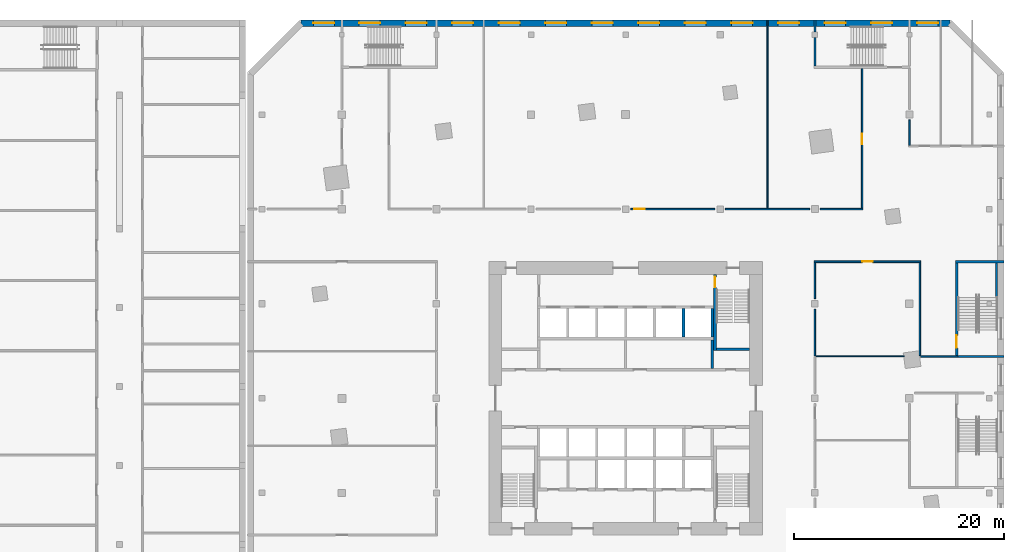
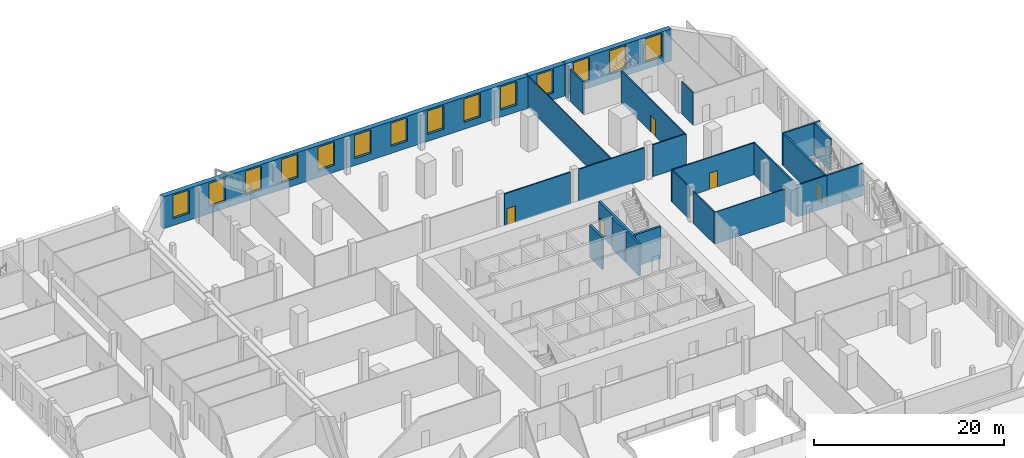
# One storey, part 12 of 20: 24 walls, 14 windows, 5 doors, 19 openings.
"""IFC4 building model written with IfcOpenShell, lengths in metres."""

from ifc_helpers import new_model, si_unit, direction, frame, frame_2d, origin, place, context, subcontext, project, spatial, rectangle, extrude, material, layer, layer_set, type_object, element, fill, save


model = new_model("IFC4")

# Units and contexts
model_context = context("Model", 3, precision=1e-05, world=origin(), true_north=direction((0.0, 1.0)))
body_context = subcontext(model_context, "Body", "Model", "MODEL_VIEW")
ifc_project = project(units=[si_unit("LENGTHUNIT", "METRE"), si_unit("AREAUNIT", "SQUARE_METRE"), si_unit("VOLUMEUNIT", "CUBIC_METRE"), si_unit("PLANEANGLEUNIT", "RADIAN"), si_unit("MASSUNIT", "GRAM", prefix="KILO")], contexts=[model_context])

# Site, building, storey
site_placement = place(None, origin())
site = spatial("IfcSite", under=ifc_project, at=site_placement, CompositionType="ELEMENT")
building_placement = place(site_placement, origin())
building = spatial("IfcBuilding", under=site, at=building_placement, Name="Dilmun Exchange Tower", CompositionType="ELEMENT")
storey_placement = place(building_placement, frame((0.0, 0.0, 9.0)))
storey = spatial("IfcBuildingStorey", under=building, at=storey_placement, Name="L02", CompositionType="ELEMENT", Elevation=9.0)

# Walls
ifc_material_1 = material(Name="Concrete C40/50", Category="concrete")
ifc_layer_1 = layer(ifc_material_1, 0.25)
ifc_layer_set_1 = layer_set([ifc_layer_1], Name="Concrete C40/50")
wall_type_1 = type_object("IfcWallType", Name="Core partition wall 250", PredefinedType="PARTITIONING", material=ifc_layer_set_1)
wall_1_placement = place(storey_placement, frame((8.25, 2.85498046875, 0.0), z_axis=(0.0, 0.0, 1.0), x_axis=(0.0, 1.0, 0.0)))
element("IfcWall", 1, at=wall_1_placement, inside=storey, type_object=wall_type_1, Name="L02 core partition wall 11", PredefinedType="PARTITIONING", context=body_context, shape_type="SweptSolid", body=[
    extrude(rectangle(XDim=2.68994140625, YDim=0.25, at=frame_2d((1.344970703125, 0.0))), origin(), (0.0, 0.0, 1.0), 4.10009765625),
])
ifc_material_2 = material(Name="Fire partition EI 60 150 gypsum")
ifc_layer_2 = layer(ifc_material_2, 0.14990234375)
ifc_layer_set_2 = layer_set([ifc_layer_2], Name="Fire partition EI 60 150 gypsum")
wall_type_2 = type_object("IfcWallType", Name="Fire partition EI 60 150 gypsum", PredefinedType="PARTITIONING", material=ifc_layer_set_2)
wall_2_placement = place(storey_placement, frame((28.074951171875, 4.0, 0.0), z_axis=(0.0, 0.0, 1.0), x_axis=(1.0, 0.0, 0.0)))
element("IfcWall", 2, at=wall_2_placement, inside=storey, type_object=wall_type_2, Name="L02 partition", PredefinedType="PARTITIONING", context=body_context, shape_type="SweptSolid", body=[
    extrude(rectangle(XDim=3.525146484375, YDim=0.14990234375, at=frame_2d((1.7626953125, 0.0))), origin(), (0.0, 0.0, 1.0), 4.10009765625),
])

# Wall, opening, door
wall_3_placement = place(storey_placement, frame((17.925048828125, 13.0, 0.0), z_axis=(0.0, 0.0, 1.0), x_axis=(1.0, 0.0, 0.0)))
wall_3 = element("IfcWall", 3, at=wall_3_placement, inside=storey, type_object=wall_type_2, Name="L02 partition", PredefinedType="PARTITIONING", context=body_context, shape_type="SweptSolid", body=[
    extrude(rectangle(XDim=10.14990234375, YDim=0.14990234375, at=frame_2d((5.074951171875, 0.0))), origin(), (0.0, 0.0, 1.0), 4.10009765625),
])
opening_1_placement = place(wall_3_placement, frame((4.574951171875, 0.0, 0.0)))
opening_1 = element("IfcOpeningElement", 4, at=opening_1_placement, cuts=wall_3, Name="Opening L02-D022", PredefinedType="OPENING", context=body_context, shape_type="SweptSolid", body=[
    extrude(rectangle(XDim=1.0, YDim=2.10009765625, at=frame_2d((0.5, 1.050048828125))), frame((0.0, 0.0849609375, 0.0), z_axis=(0.0, -1.0, 0.0), x_axis=(1.0, 0.0, 0.0)), (0.0, 0.0, 1.0), 0.169921875),
])
ifc_material_3 = material(Name="Fire door FD60 1000 x 2100")
door_type_1 = type_object("IfcDoorType", Name="Fire door FD60 1000 x 2100", OperationType="SINGLE_SWING_LEFT", PredefinedType="DOOR", material=ifc_material_3)
door_1_placement = place(opening_1_placement, origin())
door_1 = element("IfcDoor", 5, at=door_1_placement, inside=storey, type_object=door_type_1, Name="L02 door L02-D022", OperationType="SINGLE_SWING_RIGHT", OverallHeight=2.10009765625, OverallWidth=1.0, PredefinedType="DOOR", context=body_context, shape_type="SweptSolid", body=[
    extrude(rectangle(XDim=1.0, YDim=2.10009765625, at=frame_2d((0.5, 1.050048828125))), frame((0.0, 0.02490234375, 0.0), z_axis=(0.0, -1.0, 0.0), x_axis=(1.0, 0.0, 0.0)), (0.0, 0.0, 1.0), 0.050048828125),
])
fill(opening_1, door_1)

wall_4_placement = place(storey_placement, frame((0.5, 18.0, 0.0), z_axis=(0.0, 0.0, 1.0), x_axis=(1.0, 0.0, 0.0)))
wall_4 = element("IfcWall", 6, at=wall_4_placement, inside=storey, type_object=wall_type_2, Name="L02 partition", PredefinedType="PARTITIONING", context=body_context, shape_type="SweptSolid", body=[
    extrude(rectangle(XDim=8.0, YDim=0.14990234375, at=frame_2d((4.0, 0.0))), origin(), (0.0, 0.0, 1.0), 4.10009765625),
])
opening_2_placement = place(wall_4_placement, frame((0.300048828125, 0.0, 0.0)))
opening_2 = element("IfcOpeningElement", 7, at=opening_2_placement, cuts=wall_4, Name="Opening L02-D011", PredefinedType="OPENING", context=body_context, shape_type="SweptSolid", body=[
    extrude(rectangle(XDim=1.0, YDim=2.10009765625, at=frame_2d((0.5, 1.050048828125))), frame((0.0, 0.0849609375, 0.0), z_axis=(0.0, -1.0, 0.0), x_axis=(1.0, 0.0, 0.0)), (0.0, 0.0, 1.0), 0.169921875),
])
door_2_placement = place(opening_2_placement, origin())
door_2 = element("IfcDoor", 8, at=door_2_placement, inside=storey, type_object=door_type_1, Name="L02 door L02-D011", OperationType="SINGLE_SWING_LEFT", OverallHeight=2.10009765625, OverallWidth=1.0, PredefinedType="DOOR", context=body_context, shape_type="SweptSolid", body=[
    extrude(rectangle(XDim=1.0, YDim=2.10009765625, at=frame_2d((0.5, 1.050048828125))), frame((0.0, 0.02490234375, 0.0), z_axis=(0.0, -1.0, 0.0), x_axis=(1.0, 0.0, 0.0)), (0.0, 0.0, 1.0), 0.050048828125),
])
fill(opening_2, door_2)

# Walls
wall_5_placement = place(storey_placement, frame((9.5, 18.0, 0.0), z_axis=(0.0, 0.0, 1.0), x_axis=(1.0, 0.0, 0.0)))
element("IfcWall", 9, at=wall_5_placement, inside=storey, type_object=wall_type_2, Name="L02 partition", PredefinedType="PARTITIONING", context=body_context, shape_type="SweptSolid", body=[
    extrude(rectangle(XDim=8.0, YDim=0.14990234375, at=frame_2d((4.0, 0.0))), origin(), (0.0, 0.0, 1.0), 4.10009765625),
])
wall_6_placement = place(storey_placement, frame((18.5, 18.0, 0.0), z_axis=(0.0, 0.0, 1.0), x_axis=(1.0, 0.0, 0.0)))
element("IfcWall", 10, at=wall_6_placement, inside=storey, type_object=wall_type_2, Name="L02 partition", PredefinedType="PARTITIONING", context=body_context, shape_type="SweptSolid", body=[
    extrude(rectangle(XDim=4.074951171875, YDim=0.14990234375, at=frame_2d((2.03759765625, 0.0))), origin(), (0.0, 0.0, 1.0), 4.10009765625),
])
wall_7_placement = place(storey_placement, frame((18.0, 4.050048828125, 0.0), z_axis=(0.0, 0.0, 1.0), x_axis=(0.0, 1.0, 0.0)))
element("IfcWall", 11, at=wall_7_placement, inside=storey, type_object=wall_type_2, Name="L02 partition", PredefinedType="PARTITIONING", context=body_context, shape_type="SweptSolid", body=[
    extrude(rectangle(XDim=4.449951171875, YDim=0.14990234375, at=frame_2d((2.22509765625, 0.0))), origin(), (0.0, 0.0, 1.0), 4.10009765625),
])
wall_8_placement = place(storey_placement, frame((18.0, 9.5, 0.0), z_axis=(0.0, 0.0, 1.0), x_axis=(0.0, 1.0, 0.0)))
element("IfcWall", 12, at=wall_8_placement, inside=storey, type_object=wall_type_2, Name="L02 partition", PredefinedType="PARTITIONING", context=body_context, shape_type="SweptSolid", body=[
    extrude(rectangle(XDim=3.425048828125, YDim=0.14990234375, at=frame_2d((1.71240234375, 0.0))), origin(), (0.0, 0.0, 1.0), 4.10009765625),
])

# Wall, opening, door
wall_9_placement = place(storey_placement, frame((22.5, 18.074951171875, 0.0), z_axis=(0.0, 0.0, 1.0), x_axis=(0.0, 1.0, 0.0)))
wall_9 = element("IfcWall", 13, at=wall_9_placement, inside=storey, type_object=wall_type_2, Name="L02 partition", PredefinedType="PARTITIONING", context=body_context, shape_type="SweptSolid", body=[
    extrude(rectangle(XDim=13.324951171875, YDim=0.14990234375, at=frame_2d((6.66259765625, 0.0))), origin(), (0.0, 0.0, 1.0), 4.10009765625),
])
opening_3_placement = place(wall_9_placement, frame((6.125, 0.0, 0.0)))
opening_3 = element("IfcOpeningElement", 14, at=opening_3_placement, cuts=wall_9, Name="Opening L02-D010", PredefinedType="OPENING", context=body_context, shape_type="SweptSolid", body=[
    extrude(rectangle(XDim=1.0, YDim=2.10009765625, at=frame_2d((0.5, 1.050048828125))), frame((0.0, 0.0849609375, 0.0), z_axis=(0.0, -1.0, 0.0), x_axis=(1.0, 0.0, 0.0)), (0.0, 0.0, 1.0), 0.169921875),
])
door_3_placement = place(opening_3_placement, origin())
door_3 = element("IfcDoor", 15, at=door_3_placement, inside=storey, type_object=door_type_1, Name="L02 door L02-D010", OperationType="SINGLE_SWING_RIGHT", OverallHeight=2.10009765625, OverallWidth=1.0, PredefinedType="DOOR", context=body_context, shape_type="SweptSolid", body=[
    extrude(rectangle(XDim=1.0, YDim=2.10009765625, at=frame_2d((0.5, 1.050048828125))), frame((0.0, 0.02490234375, 0.0), z_axis=(0.0, -1.0, 0.0), x_axis=(1.0, 0.0, 0.0)), (0.0, 0.0, 1.0), 0.050048828125),
])
fill(opening_3, door_3)

# Walls
wall_10_placement = place(storey_placement, frame((27.0, 24.074951171875, 0.0), z_axis=(0.0, 0.0, 1.0), x_axis=(0.0, 1.0, 0.0)))
element("IfcWall", 16, at=wall_10_placement, inside=storey, type_object=wall_type_2, Name="L02 partition", PredefinedType="PARTITIONING", context=body_context, shape_type="SweptSolid", body=[
    extrude(rectangle(XDim=2.425048828125, YDim=0.14990234375, at=frame_2d((1.21240234375, 0.0))), origin(), (0.0, 0.0, 1.0), 4.10009765625),
])
wall_11_placement = place(storey_placement, frame((28.0, 4.074951171875, 0.0), z_axis=(0.0, 0.0, 1.0), x_axis=(0.0, 1.0, 0.0)))
element("IfcWall", 17, at=wall_11_placement, inside=storey, type_object=wall_type_2, Name="L02 partition", PredefinedType="PARTITIONING", context=body_context, shape_type="SweptSolid", body=[
    extrude(rectangle(XDim=8.85009765625, YDim=0.14990234375, at=frame_2d((4.425048828125, 0.0))), origin(), (0.0, 0.0, 1.0), 4.10009765625),
])
ifc_material_4 = material(Name="Fire wall EI 120 200 blockwork", Category="masonry")
ifc_layer_3 = layer(ifc_material_4, 0.199951171875)
ifc_layer_set_3 = layer_set([ifc_layer_3], Name="Fire wall EI 120 200 blockwork")
wall_type_3 = type_object("IfcWallType", Name="Fire wall EI 120 200 blockwork", PredefinedType="PARTITIONING", material=ifc_layer_set_3)
wall_12_placement = place(storey_placement, frame((31.60009765625, 4.0, 0.0), z_axis=(0.0, 0.0, 1.0), x_axis=(1.0, 0.0, 0.0)))
element("IfcWall", 18, at=wall_12_placement, inside=storey, type_object=wall_type_3, Name="L02 stair wall", PredefinedType="PARTITIONING", context=body_context, shape_type="SweptSolid", body=[
    extrude(rectangle(XDim=4.39990234375, YDim=0.199951171875, at=frame_2d((2.199951171875, 0.0))), origin(), (0.0, 0.0, 1.0), 4.10009765625),
])
wall_13_placement = place(storey_placement, frame((31.39990234375, 13.0, 0.0), z_axis=(0.0, 0.0, 1.0), x_axis=(1.0, 0.0, 0.0)))
element("IfcWall", 19, at=wall_13_placement, inside=storey, type_object=wall_type_3, Name="L02 stair wall", PredefinedType="PARTITIONING", context=body_context, shape_type="SweptSolid", body=[
    extrude(rectangle(XDim=4.60009765625, YDim=0.199951171875, at=frame_2d((2.300048828125, 0.0))), origin(), (0.0, 0.0, 1.0), 4.10009765625),
])
wall_14_placement = place(storey_placement, frame((18.0, 31.60009765625, 0.0), z_axis=(0.0, 0.0, 1.0), x_axis=(0.0, 1.0, 0.0)))
element("IfcWall", 20, at=wall_14_placement, inside=storey, type_object=wall_type_3, Name="L02 stair wall", PredefinedType="PARTITIONING", context=body_context, shape_type="SweptSolid", body=[
    extrude(rectangle(XDim=2.75, YDim=0.199951171875, at=frame_2d((1.375, 0.0))), origin(), (0.0, 0.0, 1.0), 4.10009765625),
])
wall_15_placement = place(storey_placement, frame((18.0, 34.85009765625, 0.0), z_axis=(0.0, 0.0, 1.0), x_axis=(0.0, 1.0, 0.0)))
element("IfcWall", 21, at=wall_15_placement, inside=storey, type_object=wall_type_3, Name="L02 stair wall", PredefinedType="PARTITIONING", context=body_context, shape_type="SweptSolid", body=[
    extrude(rectangle(XDim=1.14990234375, YDim=0.199951171875, at=frame_2d((0.574951171875, 0.0))), origin(), (0.0, 0.0, 1.0), 4.10009765625),
])

# Wall, opening, door
wall_16_placement = place(storey_placement, frame((31.5, 4.10009765625, 0.0), z_axis=(0.0, 0.0, 1.0), x_axis=(0.0, 1.0, 0.0)))
wall_16 = element("IfcWall", 22, at=wall_16_placement, inside=storey, type_object=wall_type_3, Name="L02 stair wall", PredefinedType="PARTITIONING", context=body_context, shape_type="SweptSolid", body=[
    extrude(rectangle(XDim=8.7998046875, YDim=0.199951171875, at=frame_2d((4.39990234375, 0.0))), origin(), (0.0, 0.0, 1.0), 4.10009765625),
])
opening_4_placement = place(wall_16_placement, frame((0.699951171875, 0.0, 0.0)))
opening_4 = element("IfcOpeningElement", 23, at=opening_4_placement, cuts=wall_16, Name="Opening L02-D004", PredefinedType="OPENING", context=body_context, shape_type="SweptSolid", body=[
    extrude(rectangle(XDim=1.199951171875, YDim=2.10009765625, at=frame_2d((0.60009765625, 1.050048828125))), frame((0.0, 0.10986328125, 0.0), z_axis=(0.0, -1.0, 0.0), x_axis=(1.0, 0.0, 0.0)), (0.0, 0.0, 1.0), 0.219970703125),
])
ifc_material_5 = material(Name="Stair door FD90 1200 x 2100")
door_type_2 = type_object("IfcDoorType", Name="Stair door FD90 1200 x 2100", OperationType="SINGLE_SWING_LEFT", PredefinedType="DOOR", material=ifc_material_5)
door_4_placement = place(opening_4_placement, frame((1.199951171875, 0.0, 0.0), z_axis=(0.0, 0.0, 1.0), x_axis=(-1.0, 0.0, 0.0)))
door_4 = element("IfcDoor", 24, at=door_4_placement, inside=storey, type_object=door_type_2, Name="L02 door L02-D004", OperationType="SINGLE_SWING_RIGHT", OverallHeight=2.10009765625, OverallWidth=1.199951171875, PredefinedType="DOOR", context=body_context, shape_type="SweptSolid", body=[
    extrude(rectangle(XDim=1.199951171875, YDim=2.10009765625, at=frame_2d((0.60009765625, 1.050048828125))), frame((0.0, 0.02490234375, 0.0), z_axis=(0.0, -1.0, 0.0), x_axis=(1.0, 0.0, 0.0)), (0.0, 0.0, 1.0), 0.050048828125),
])
fill(opening_4, door_4)

# Walls
wall_17_placement = place(storey_placement, frame((35.298095703125, 9.58056640625, 0.0), z_axis=(0.0, 0.0, 1.0), x_axis=(0.0, 1.0, 0.0)))
element("IfcWall", 25, at=wall_17_placement, inside=storey, type_object=wall_type_3, Name="L02 stair landing wall", PredefinedType="PARTITIONING", context=body_context, shape_type="SweptSolid", body=[
    extrude(rectangle(XDim=3.309326171875, YDim=0.199951171875, at=frame_2d((1.65478515625, 0.0))), origin(), (0.0, 0.0, 1.0), 4.10009765625),
])
ifc_layer_4 = layer(ifc_material_1, 0.25)
ifc_layer_set_4 = layer_set([ifc_layer_4], Name="Concrete C40/50")
wall_type_4 = type_object("IfcWallType", Name="Lift shaft wall 250", PredefinedType="SOLIDWALL", material=ifc_layer_set_4)
for number, where, z_axis, x_axis, name in (
    (26, (5.5, 5.85009765625, 0.0), (0.0, 0.0, 1.0), (0.0, 1.0, 0.0), "L02 lift shaft divider N25"),
    (27, (8.25, 5.85009765625, 0.0), (0.0, 0.0, 1.0), (0.0, 1.0, 0.0), "L02 lift shaft divider N26"),
):
    element("IfcWall", number, at=place(storey_placement, frame(where, z_axis=z_axis, x_axis=x_axis)), inside=storey, type_object=wall_type_4, Name=name, PredefinedType="SOLIDWALL", context=body_context, shape_type="SweptSolid", body=[
        extrude(rectangle(XDim=2.699951171875, YDim=0.25, at=frame_2d((1.35009765625, 0.0))), origin(), (0.0, 0.0, 1.0), 4.10009765625),
    ])
ifc_material_6 = material(Name="Partition 100 gypsum")
ifc_layer_5 = layer(ifc_material_6, 0.10009765625)
ifc_layer_set_5 = layer_set([ifc_layer_5], Name="Partition 100 gypsum")
wall_type_5 = type_object("IfcWallType", Name="Partition 100 gypsum", PredefinedType="PARTITIONING", material=ifc_layer_set_5)
wall_18_placement = place(storey_placement, frame((18.074951171875, 4.0, 0.0), z_axis=(0.0, 0.0, 1.0), x_axis=(1.0, 0.0, 0.0)))
element("IfcWall", 28, at=wall_18_placement, inside=storey, type_object=wall_type_5, Name="L02 partition", PredefinedType="PARTITIONING", context=body_context, shape_type="SweptSolid", body=[
    extrude(rectangle(XDim=8.44677734375, YDim=0.10009765625, at=frame_2d((4.223388671875, 0.0))), origin(), (0.0, 0.0, 1.0), 4.10009765625),
])
wall_19_placement = place(storey_placement, frame((13.5, 18.074951171875, 0.0), z_axis=(0.0, 0.0, 1.0), x_axis=(0.0, 1.0, 0.0)))
element("IfcWall", 29, at=wall_19_placement, inside=storey, type_object=wall_type_5, Name="L02 partition", PredefinedType="PARTITIONING", context=body_context, shape_type="SweptSolid", body=[
    extrude(rectangle(XDim=17.925048828125, YDim=0.10009765625, at=frame_2d((8.96240234375, 0.0))), origin(), (0.0, 0.0, 1.0), 4.10009765625),
])

# Wall, openings, windows
ifc_material_7 = material(Name="Precast concrete C50/60", Category="concrete")
ifc_layer_6 = layer(ifc_material_7, 0.60009765625)
ifc_layer_set_6 = layer_set([ifc_layer_6], Name="Precast concrete C50/60")
wall_type_6 = type_object("IfcWallType", Name="Precast stone-clad wall 600", PredefinedType="STANDARD", material=ifc_layer_set_6)
wall_20_placement = place(storey_placement, frame((30.875732421875, 35.699951171875, 0.0), z_axis=(0.0, 0.0, 1.0), x_axis=(-1.0, 0.0, 0.0)))
wall_20 = element("IfcWall", 30, at=wall_20_placement, inside=storey, type_object=wall_type_6, Name="Facade wall L02-04-0", PredefinedType="STANDARD", context=body_context, shape_type="SweptSolid", body=[
    extrude(rectangle(XDim=61.75146484375, YDim=0.60009765625, at=frame_2d((30.875732421875, 0.0))), origin(), (0.0, 0.0, 1.0), 4.10009765625),
])
opening_5_placement = place(wall_20_placement, frame((1.152099609375, 0.0, 0.89990234375)))
opening_5 = element("IfcOpeningElement", 31, at=opening_5_placement, cuts=wall_20, Name="Opening W200-300", PredefinedType="OPENING", context=body_context, shape_type="SweptSolid", body=[
    extrude(rectangle(XDim=2.0, YDim=3.0, at=frame_2d((1.0, 1.5))), frame((0.0, 0.31005859375, 0.0), z_axis=(0.0, -1.0, 0.0), x_axis=(1.0, 0.0, 0.0)), (0.0, 0.0, 1.0), 0.6201171875),
])
opening_6_placement = place(wall_20_placement, frame((5.5185546875, 0.0, 0.89990234375)))
opening_6 = element("IfcOpeningElement", 32, at=opening_6_placement, cuts=wall_20, Name="Opening W200-300", PredefinedType="OPENING", context=body_context, shape_type="SweptSolid", body=[
    extrude(rectangle(XDim=2.0, YDim=3.0, at=frame_2d((1.0, 1.5))), frame((0.0, 0.31005859375, 0.0), z_axis=(0.0, -1.0, 0.0), x_axis=(1.0, 0.0, 0.0)), (0.0, 0.0, 1.0), 0.6201171875),
])
opening_7_placement = place(wall_20_placement, frame((9.947265625, 0.0, 0.89990234375)))
opening_7 = element("IfcOpeningElement", 33, at=opening_7_placement, cuts=wall_20, Name="Opening W200-300", PredefinedType="OPENING", context=body_context, shape_type="SweptSolid", body=[
    extrude(rectangle(XDim=2.0, YDim=3.0, at=frame_2d((1.0, 1.5))), frame((0.0, 0.31005859375, 0.0), z_axis=(0.0, -1.0, 0.0), x_axis=(1.0, 0.0, 0.0)), (0.0, 0.0, 1.0), 0.6201171875),
])
opening_8_placement = place(wall_20_placement, frame((14.375732421875, 0.0, 0.89990234375)))
opening_8 = element("IfcOpeningElement", 34, at=opening_8_placement, cuts=wall_20, Name="Opening W200-300", PredefinedType="OPENING", context=body_context, shape_type="SweptSolid", body=[
    extrude(rectangle(XDim=2.0, YDim=3.0, at=frame_2d((1.0, 1.5))), frame((0.0, 0.31005859375, 0.0), z_axis=(0.0, -1.0, 0.0), x_axis=(1.0, 0.0, 0.0)), (0.0, 0.0, 1.0), 0.6201171875),
])
opening_9_placement = place(wall_20_placement, frame((18.80419921875, 0.0, 0.89990234375)))
opening_9 = element("IfcOpeningElement", 35, at=opening_9_placement, cuts=wall_20, Name="Opening W200-300", PredefinedType="OPENING", context=body_context, shape_type="SweptSolid", body=[
    extrude(rectangle(XDim=2.0, YDim=3.0, at=frame_2d((1.0, 1.5))), frame((0.0, 0.31005859375, 0.0), z_axis=(0.0, -1.0, 0.0), x_axis=(1.0, 0.0, 0.0)), (0.0, 0.0, 1.0), 0.6201171875),
])
opening_10_placement = place(wall_20_placement, frame((23.23291015625, 0.0, 0.89990234375)))
opening_10 = element("IfcOpeningElement", 36, at=opening_10_placement, cuts=wall_20, Name="Opening W200-300", PredefinedType="OPENING", context=body_context, shape_type="SweptSolid", body=[
    extrude(rectangle(XDim=2.0, YDim=3.0, at=frame_2d((1.0, 1.5))), frame((0.0, 0.31005859375, 0.0), z_axis=(0.0, -1.0, 0.0), x_axis=(1.0, 0.0, 0.0)), (0.0, 0.0, 1.0), 0.6201171875),
])
opening_11_placement = place(wall_20_placement, frame((27.66162109375, 0.0, 0.89990234375)))
opening_11 = element("IfcOpeningElement", 37, at=opening_11_placement, cuts=wall_20, Name="Opening W200-300", PredefinedType="OPENING", context=body_context, shape_type="SweptSolid", body=[
    extrude(rectangle(XDim=2.0, YDim=3.0, at=frame_2d((1.0, 1.5))), frame((0.0, 0.31005859375, 0.0), z_axis=(0.0, -1.0, 0.0), x_axis=(1.0, 0.0, 0.0)), (0.0, 0.0, 1.0), 0.6201171875),
])
opening_12_placement = place(wall_20_placement, frame((32.090087890625, 0.0, 0.89990234375)))
opening_12 = element("IfcOpeningElement", 38, at=opening_12_placement, cuts=wall_20, Name="Opening W200-300", PredefinedType="OPENING", context=body_context, shape_type="SweptSolid", body=[
    extrude(rectangle(XDim=2.0, YDim=3.0, at=frame_2d((1.0, 1.5))), frame((0.0, 0.31005859375, 0.0), z_axis=(0.0, -1.0, 0.0), x_axis=(1.0, 0.0, 0.0)), (0.0, 0.0, 1.0), 0.6201171875),
])
opening_13_placement = place(wall_20_placement, frame((36.5185546875, 0.0, 0.89990234375)))
opening_13 = element("IfcOpeningElement", 39, at=opening_13_placement, cuts=wall_20, Name="Opening W200-300", PredefinedType="OPENING", context=body_context, shape_type="SweptSolid", body=[
    extrude(rectangle(XDim=2.0, YDim=3.0, at=frame_2d((1.0, 1.5))), frame((0.0, 0.31005859375, 0.0), z_axis=(0.0, -1.0, 0.0), x_axis=(1.0, 0.0, 0.0)), (0.0, 0.0, 1.0), 0.6201171875),
])
opening_14_placement = place(wall_20_placement, frame((40.947265625, 0.0, 0.89990234375)))
opening_14 = element("IfcOpeningElement", 40, at=opening_14_placement, cuts=wall_20, Name="Opening W200-300", PredefinedType="OPENING", context=body_context, shape_type="SweptSolid", body=[
    extrude(rectangle(XDim=2.0, YDim=3.0, at=frame_2d((1.0, 1.5))), frame((0.0, 0.31005859375, 0.0), z_axis=(0.0, -1.0, 0.0), x_axis=(1.0, 0.0, 0.0)), (0.0, 0.0, 1.0), 0.6201171875),
])
opening_15_placement = place(wall_20_placement, frame((45.375732421875, 0.0, 0.89990234375)))
opening_15 = element("IfcOpeningElement", 41, at=opening_15_placement, cuts=wall_20, Name="Opening W200-300", PredefinedType="OPENING", context=body_context, shape_type="SweptSolid", body=[
    extrude(rectangle(XDim=2.0, YDim=3.0, at=frame_2d((1.0, 1.5))), frame((0.0, 0.31005859375, 0.0), z_axis=(0.0, -1.0, 0.0), x_axis=(1.0, 0.0, 0.0)), (0.0, 0.0, 1.0), 0.6201171875),
])
opening_16_placement = place(wall_20_placement, frame((49.80419921875, 0.0, 0.89990234375)))
opening_16 = element("IfcOpeningElement", 42, at=opening_16_placement, cuts=wall_20, Name="Opening W200-300", PredefinedType="OPENING", context=body_context, shape_type="SweptSolid", body=[
    extrude(rectangle(XDim=2.0, YDim=3.0, at=frame_2d((1.0, 1.5))), frame((0.0, 0.31005859375, 0.0), z_axis=(0.0, -1.0, 0.0), x_axis=(1.0, 0.0, 0.0)), (0.0, 0.0, 1.0), 0.6201171875),
])
opening_17_placement = place(wall_20_placement, frame((54.23291015625, 0.0, 0.89990234375)))
opening_17 = element("IfcOpeningElement", 43, at=opening_17_placement, cuts=wall_20, Name="Opening W200-300", PredefinedType="OPENING", context=body_context, shape_type="SweptSolid", body=[
    extrude(rectangle(XDim=2.0, YDim=3.0, at=frame_2d((1.0, 1.5))), frame((0.0, 0.31005859375, 0.0), z_axis=(0.0, -1.0, 0.0), x_axis=(1.0, 0.0, 0.0)), (0.0, 0.0, 1.0), 0.6201171875),
])
opening_18_placement = place(wall_20_placement, frame((58.599365234375, 0.0, 0.89990234375)))
opening_18 = element("IfcOpeningElement", 44, at=opening_18_placement, cuts=wall_20, Name="Opening W200-300", PredefinedType="OPENING", context=body_context, shape_type="SweptSolid", body=[
    extrude(rectangle(XDim=2.0, YDim=3.0, at=frame_2d((1.0, 1.5))), frame((0.0, 0.31005859375, 0.0), z_axis=(0.0, -1.0, 0.0), x_axis=(1.0, 0.0, 0.0)), (0.0, 0.0, 1.0), 0.6201171875),
])
ifc_material_8 = material(Name="Clear low-emissivity glass in aluminium frame", Category="aluminium")
window_type = type_object("IfcWindowType", Name="Punched window 2000 x 3000", PartitioningType="DOUBLE_PANEL_VERTICAL", PredefinedType="WINDOW", material=ifc_material_8)
window_1_placement = place(opening_5_placement, origin())
window_1 = element("IfcWindow", 45, at=window_1_placement, inside=storey, type_object=window_type, Name="Window 5.1", OverallHeight=3.0, OverallWidth=2.0, PartitioningType="SINGLE_PANEL", PredefinedType="WINDOW", context=body_context, shape_type="SweptSolid", body=[
    extrude(rectangle(XDim=2.0, YDim=3.0, at=frame_2d((1.0, 1.5))), frame((0.0, 0.030029296875, 0.0), z_axis=(0.0, -1.0, 0.0), x_axis=(1.0, 0.0, 0.0)), (0.0, 0.0, 1.0), 0.06005859375),
])
fill(opening_5, window_1)
window_2_placement = place(opening_6_placement, origin())
window_2 = element("IfcWindow", 46, at=window_2_placement, inside=storey, type_object=window_type, Name="Window 5.2", OverallHeight=3.0, OverallWidth=2.0, PartitioningType="SINGLE_PANEL", PredefinedType="WINDOW", context=body_context, shape_type="SweptSolid", body=[
    extrude(rectangle(XDim=2.0, YDim=3.0, at=frame_2d((1.0, 1.5))), frame((0.0, 0.030029296875, 0.0), z_axis=(0.0, -1.0, 0.0), x_axis=(1.0, 0.0, 0.0)), (0.0, 0.0, 1.0), 0.06005859375),
])
fill(opening_6, window_2)
window_3_placement = place(opening_7_placement, origin())
window_3 = element("IfcWindow", 47, at=window_3_placement, inside=storey, type_object=window_type, Name="Window 5.3", OverallHeight=3.0, OverallWidth=2.0, PartitioningType="SINGLE_PANEL", PredefinedType="WINDOW", context=body_context, shape_type="SweptSolid", body=[
    extrude(rectangle(XDim=2.0, YDim=3.0, at=frame_2d((1.0, 1.5))), frame((0.0, 0.030029296875, 0.0), z_axis=(0.0, -1.0, 0.0), x_axis=(1.0, 0.0, 0.0)), (0.0, 0.0, 1.0), 0.06005859375),
])
fill(opening_7, window_3)
window_4_placement = place(opening_8_placement, origin())
window_4 = element("IfcWindow", 48, at=window_4_placement, inside=storey, type_object=window_type, Name="Window 5.4", OverallHeight=3.0, OverallWidth=2.0, PartitioningType="SINGLE_PANEL", PredefinedType="WINDOW", context=body_context, shape_type="SweptSolid", body=[
    extrude(rectangle(XDim=2.0, YDim=3.0, at=frame_2d((1.0, 1.5))), frame((0.0, 0.030029296875, 0.0), z_axis=(0.0, -1.0, 0.0), x_axis=(1.0, 0.0, 0.0)), (0.0, 0.0, 1.0), 0.06005859375),
])
fill(opening_8, window_4)
window_5_placement = place(opening_9_placement, origin())
window_5 = element("IfcWindow", 49, at=window_5_placement, inside=storey, type_object=window_type, Name="Window 5.5", OverallHeight=3.0, OverallWidth=2.0, PartitioningType="SINGLE_PANEL", PredefinedType="WINDOW", context=body_context, shape_type="SweptSolid", body=[
    extrude(rectangle(XDim=2.0, YDim=3.0, at=frame_2d((1.0, 1.5))), frame((0.0, 0.030029296875, 0.0), z_axis=(0.0, -1.0, 0.0), x_axis=(1.0, 0.0, 0.0)), (0.0, 0.0, 1.0), 0.06005859375),
])
fill(opening_9, window_5)
window_6_placement = place(opening_10_placement, origin())
window_6 = element("IfcWindow", 50, at=window_6_placement, inside=storey, type_object=window_type, Name="Window 5.6", OverallHeight=3.0, OverallWidth=2.0, PartitioningType="SINGLE_PANEL", PredefinedType="WINDOW", context=body_context, shape_type="SweptSolid", body=[
    extrude(rectangle(XDim=2.0, YDim=3.0, at=frame_2d((1.0, 1.5))), frame((0.0, 0.030029296875, 0.0), z_axis=(0.0, -1.0, 0.0), x_axis=(1.0, 0.0, 0.0)), (0.0, 0.0, 1.0), 0.06005859375),
])
fill(opening_10, window_6)
window_7_placement = place(opening_11_placement, origin())
window_7 = element("IfcWindow", 51, at=window_7_placement, inside=storey, type_object=window_type, Name="Window 5.7", OverallHeight=3.0, OverallWidth=2.0, PartitioningType="SINGLE_PANEL", PredefinedType="WINDOW", context=body_context, shape_type="SweptSolid", body=[
    extrude(rectangle(XDim=2.0, YDim=3.0, at=frame_2d((1.0, 1.5))), frame((0.0, 0.030029296875, 0.0), z_axis=(0.0, -1.0, 0.0), x_axis=(1.0, 0.0, 0.0)), (0.0, 0.0, 1.0), 0.06005859375),
])
fill(opening_11, window_7)
window_8_placement = place(opening_12_placement, origin())
window_8 = element("IfcWindow", 52, at=window_8_placement, inside=storey, type_object=window_type, Name="Window 5.8", OverallHeight=3.0, OverallWidth=2.0, PartitioningType="SINGLE_PANEL", PredefinedType="WINDOW", context=body_context, shape_type="SweptSolid", body=[
    extrude(rectangle(XDim=2.0, YDim=3.0, at=frame_2d((1.0, 1.5))), frame((0.0, 0.030029296875, 0.0), z_axis=(0.0, -1.0, 0.0), x_axis=(1.0, 0.0, 0.0)), (0.0, 0.0, 1.0), 0.06005859375),
])
fill(opening_12, window_8)
window_9_placement = place(opening_13_placement, origin())
window_9 = element("IfcWindow", 53, at=window_9_placement, inside=storey, type_object=window_type, Name="Window 5.9", OverallHeight=3.0, OverallWidth=2.0, PartitioningType="SINGLE_PANEL", PredefinedType="WINDOW", context=body_context, shape_type="SweptSolid", body=[
    extrude(rectangle(XDim=2.0, YDim=3.0, at=frame_2d((1.0, 1.5))), frame((0.0, 0.030029296875, 0.0), z_axis=(0.0, -1.0, 0.0), x_axis=(1.0, 0.0, 0.0)), (0.0, 0.0, 1.0), 0.06005859375),
])
fill(opening_13, window_9)
window_10_placement = place(opening_14_placement, origin())
window_10 = element("IfcWindow", 54, at=window_10_placement, inside=storey, type_object=window_type, Name="Window 5.10", OverallHeight=3.0, OverallWidth=2.0, PartitioningType="SINGLE_PANEL", PredefinedType="WINDOW", context=body_context, shape_type="SweptSolid", body=[
    extrude(rectangle(XDim=2.0, YDim=3.0, at=frame_2d((1.0, 1.5))), frame((0.0, 0.030029296875, 0.0), z_axis=(0.0, -1.0, 0.0), x_axis=(1.0, 0.0, 0.0)), (0.0, 0.0, 1.0), 0.06005859375),
])
fill(opening_14, window_10)
window_11_placement = place(opening_15_placement, origin())
window_11 = element("IfcWindow", 55, at=window_11_placement, inside=storey, type_object=window_type, Name="Window 5.11", OverallHeight=3.0, OverallWidth=2.0, PartitioningType="SINGLE_PANEL", PredefinedType="WINDOW", context=body_context, shape_type="SweptSolid", body=[
    extrude(rectangle(XDim=2.0, YDim=3.0, at=frame_2d((1.0, 1.5))), frame((0.0, 0.030029296875, 0.0), z_axis=(0.0, -1.0, 0.0), x_axis=(1.0, 0.0, 0.0)), (0.0, 0.0, 1.0), 0.06005859375),
])
fill(opening_15, window_11)
window_12_placement = place(opening_16_placement, origin())
window_12 = element("IfcWindow", 56, at=window_12_placement, inside=storey, type_object=window_type, Name="Window 5.12", OverallHeight=3.0, OverallWidth=2.0, PartitioningType="SINGLE_PANEL", PredefinedType="WINDOW", context=body_context, shape_type="SweptSolid", body=[
    extrude(rectangle(XDim=2.0, YDim=3.0, at=frame_2d((1.0, 1.5))), frame((0.0, 0.030029296875, 0.0), z_axis=(0.0, -1.0, 0.0), x_axis=(1.0, 0.0, 0.0)), (0.0, 0.0, 1.0), 0.06005859375),
])
fill(opening_16, window_12)
window_13_placement = place(opening_17_placement, origin())
window_13 = element("IfcWindow", 57, at=window_13_placement, inside=storey, type_object=window_type, Name="Window 5.13", OverallHeight=3.0, OverallWidth=2.0, PartitioningType="SINGLE_PANEL", PredefinedType="WINDOW", context=body_context, shape_type="SweptSolid", body=[
    extrude(rectangle(XDim=2.0, YDim=3.0, at=frame_2d((1.0, 1.5))), frame((0.0, 0.030029296875, 0.0), z_axis=(0.0, -1.0, 0.0), x_axis=(1.0, 0.0, 0.0)), (0.0, 0.0, 1.0), 0.06005859375),
])
fill(opening_17, window_13)
window_14_placement = place(opening_18_placement, origin())
window_14 = element("IfcWindow", 58, at=window_14_placement, inside=storey, type_object=window_type, Name="Window 5.14", OverallHeight=3.0, OverallWidth=2.0, PartitioningType="SINGLE_PANEL", PredefinedType="WINDOW", context=body_context, shape_type="SweptSolid", body=[
    extrude(rectangle(XDim=2.0, YDim=3.0, at=frame_2d((1.0, 1.5))), frame((0.0, 0.030029296875, 0.0), z_axis=(0.0, -1.0, 0.0), x_axis=(1.0, 0.0, 0.0)), (0.0, 0.0, 1.0), 0.06005859375),
])
fill(opening_18, window_14)

# Wall
ifc_layer_7 = layer(ifc_material_1, 0.25)
ifc_layer_set_7 = layer_set([ifc_layer_7], Name="Concrete C40/50")
wall_type_7 = type_object("IfcWallType", Name="Stair end wall 250", PredefinedType="SOLIDWALL", material=ifc_layer_set_7)
wall_21_placement = place(storey_placement, frame((8.64990234375, 4.675048828125, 0.0), z_axis=(0.0, 0.0, 1.0), x_axis=(1.0, 0.0, 0.0)))
element("IfcWall", 59, at=wall_21_placement, inside=storey, type_object=wall_type_7, Name="L02 ST1 far wall", PredefinedType="SOLIDWALL", context=body_context, shape_type="SweptSolid", body=[
    extrude(rectangle(XDim=3.150146484375, YDim=0.25, at=frame_2d((1.5751953125, 0.0))), origin(), (0.0, 0.0, 1.0), 4.10009765625),
])

# Wall, opening, door
ifc_layer_8 = layer(ifc_material_1, 0.27490234375)
ifc_layer_set_8 = layer_set([ifc_layer_8], Name="Concrete C40/50")
wall_type_8 = type_object("IfcWallType", Name="Stair wall 275", PredefinedType="SOLIDWALL", material=ifc_layer_set_8)
wall_22_placement = place(storey_placement, frame((8.512451171875, 4.550048828125, 0.0), z_axis=(0.0, 0.0, 1.0), x_axis=(0.0, 1.0, 0.0)))
wall_22 = element("IfcWall", 60, at=wall_22_placement, inside=storey, type_object=wall_type_8, Name="L02 ST1 wall to lift block", PredefinedType="SOLIDWALL", context=body_context, shape_type="SweptSolid", body=[
    extrude(rectangle(XDim=7.25, YDim=0.27490234375, at=frame_2d((3.625, 0.0))), origin(), (0.0, 0.0, 1.0), 4.10009765625),
])
opening_19_placement = place(wall_22_placement, frame((6.0, 0.0, 0.0)))
opening_19 = element("IfcOpeningElement", 61, at=opening_19_placement, cuts=wall_22, Name="Opening CD4", PredefinedType="OPENING", context=body_context, shape_type="SweptSolid", body=[
    extrude(rectangle(XDim=1.0, YDim=2.10009765625, at=frame_2d((0.5, 1.050048828125))), frame((0.0, 0.1474609375, 0.0), z_axis=(0.0, -1.0, 0.0), x_axis=(1.0, 0.0, 0.0)), (0.0, 0.0, 1.0), 0.294921875),
])
ifc_material_9 = material(Name="Fire-rated steel door set", Category="steel")
door_type_3 = type_object("IfcDoorType", Name="Core room door 1000x2100", OperationType="SINGLE_SWING_LEFT", PredefinedType="DOOR", material=ifc_material_9)
door_5_placement = place(opening_19_placement, origin())
door_5 = element("IfcDoor", 62, at=door_5_placement, inside=storey, type_object=door_type_3, Name="L02 door ST1 from lobby", OperationType="SINGLE_SWING_LEFT", OverallHeight=2.10009765625, OverallWidth=1.0, PredefinedType="DOOR", context=body_context, shape_type="SweptSolid", body=[
    extrude(rectangle(XDim=1.0, YDim=2.10009765625, at=frame_2d((0.5, 1.050048828125))), frame((0.0, 0.02490234375, 0.0), z_axis=(0.0, -1.0, 0.0), x_axis=(1.0, 0.0, 0.0)), (0.0, 0.0, 1.0), 0.050048828125),
])
fill(opening_19, door_5)

save(model, "model.ifc")
